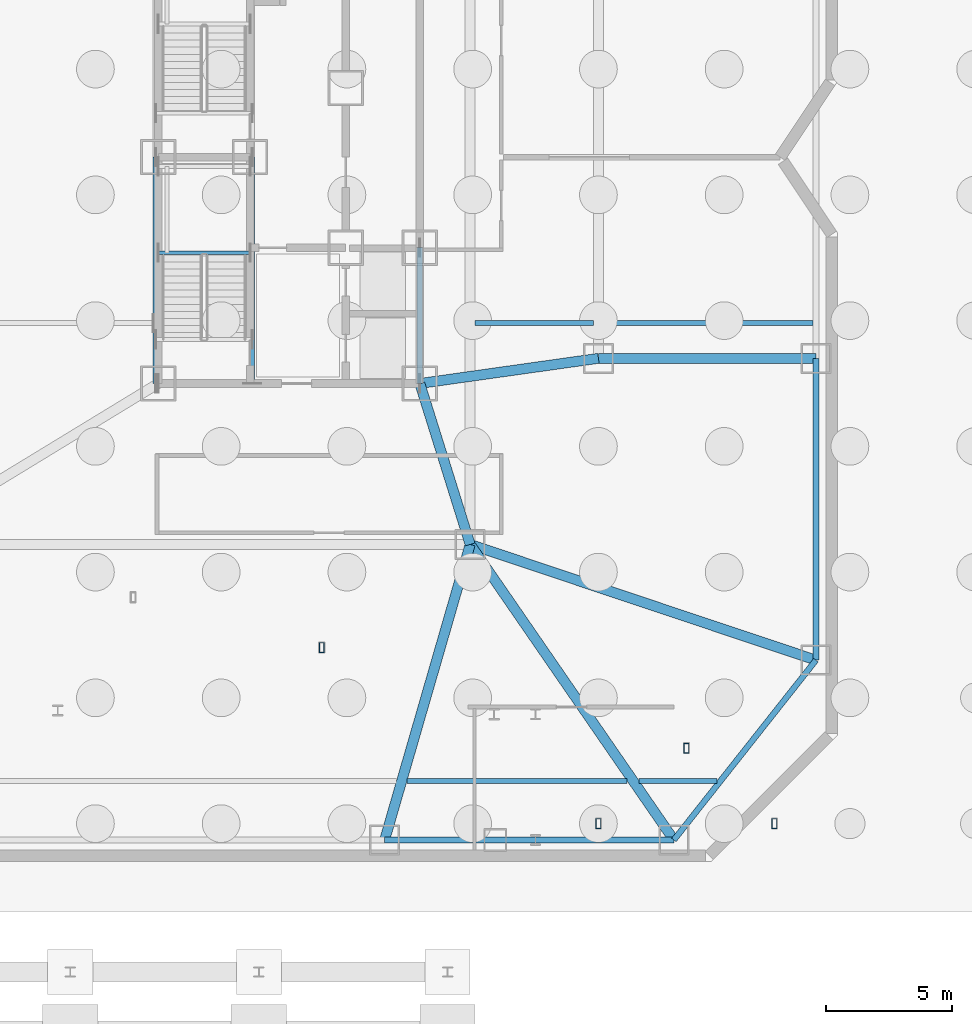
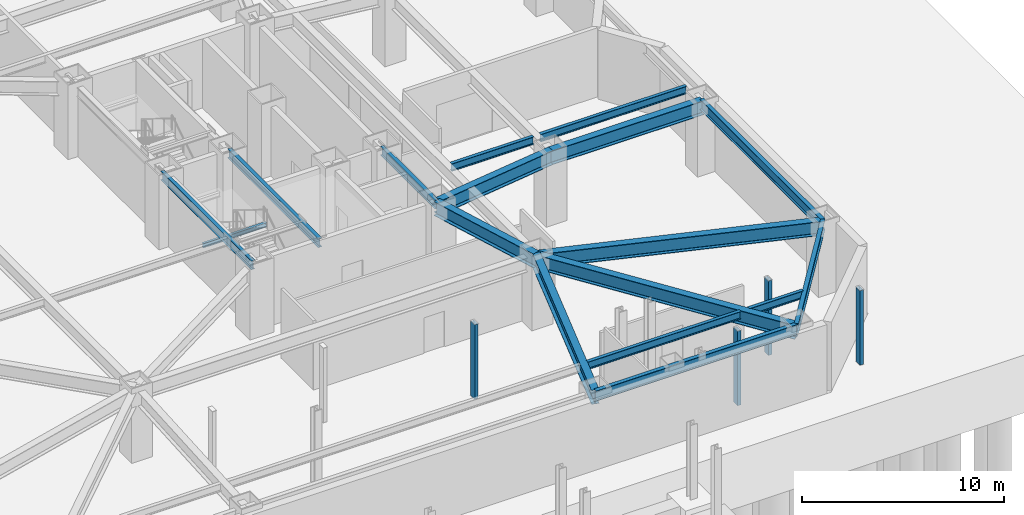
# One storey, part 5 of 15: 17 beams, 4 members.
"""IFC4 building model written with IfcOpenShell, lengths in metres."""

from ifc_helpers import new_model, si_unit, direction, frame, origin, origin_2d, place, context, subcontext, project, spatial, hollow_rectangle, i_section, extrude, material, material_profile, profile_set, type_object, element, save


model = new_model("IFC4")

# Units and contexts
model_context = context("Model", 3, precision=1e-05, world=origin(), true_north=direction((0.0, 1.0)))
body_context = subcontext(model_context, "Body", "Model", "MODEL_VIEW")
ifc_project = project(units=[si_unit("LENGTHUNIT", "METRE"), si_unit("AREAUNIT", "SQUARE_METRE"), si_unit("VOLUMEUNIT", "CUBIC_METRE"), si_unit("PLANEANGLEUNIT", "RADIAN"), si_unit("MASSUNIT", "GRAM", prefix="KILO")], contexts=[model_context])

# Site, building, storey
site_placement = place(None, origin())
site = spatial("IfcSite", under=ifc_project, at=site_placement, CompositionType="ELEMENT")
building_placement = place(site_placement, origin())
building = spatial("IfcBuilding", under=site, at=building_placement, Name="Khamvora Tower", CompositionType="ELEMENT")
storey_placement = place(building_placement, frame((0.0, 0.0, -9.0)))
storey = spatial("IfcBuildingStorey", under=building, at=storey_placement, Name="B2", CompositionType="ELEMENT", Elevation=-9.0)

# Beams
ifc_material = material(Name="Steel S355", Category="steel")
ifc_material_profile_1 = material_profile(ifc_material, i_section(OverallWidth=0.19189453125, OverallDepth=0.462890625, WebThickness=0.010986328125, FlangeThickness=0.01806640625, FilletRadius=0.011962890625, at=origin_2d()), Name="W460x89")
ifc_profile_set_1 = profile_set([ifc_material_profile_1], Name="Steel S355")
beam_type_1 = type_object("IfcBeamType", Name="BM-JS-W460x89", PredefinedType="JOIST", material=ifc_profile_set_1)
beam_1_placement = place(storey_placement, frame((38.883056640625, 3.199951171875, 3.948974609375), z_axis=(1.0, 0.0, 0.0), x_axis=(0.0, 1.0, 0.0)))
element("IfcBeam", 1, at=beam_1_placement, inside=storey, type_object=beam_type_1, Name="B2 secondary floor joist 04", PredefinedType="JOIST", context=body_context, shape_type="SweptSolid", body=[
    extrude(i_section(OverallWidth=0.19189453125, OverallDepth=0.462890625, WebThickness=0.010986328125, FlangeThickness=0.01806640625, FilletRadius=0.011962890625, at=origin_2d()), origin(), (0.0, 0.0, 1.0), 8.759033203125),
])
beam_2_placement = place(storey_placement, frame((48.117919921875, 3.199951171875, 3.948974609375), z_axis=(1.0, 0.0, 0.0), x_axis=(0.0, 1.0, 0.0)))
element("IfcBeam", 2, at=beam_2_placement, inside=storey, type_object=beam_type_1, Name="B2 secondary floor joist 05", PredefinedType="JOIST", context=body_context, shape_type="SweptSolid", body=[
    extrude(i_section(OverallWidth=0.19189453125, OverallDepth=0.462890625, WebThickness=0.010986328125, FlangeThickness=0.01806640625, FilletRadius=0.011962890625, at=origin_2d()), origin(), (0.0, 0.0, 1.0), 3.09716796875),
])
beam_3_placement = place(storey_placement, frame((41.594970703125, 21.39990234375, 3.948974609375), z_axis=(1.0, 0.0, 0.0), x_axis=(0.0, 1.0, 0.0)))
element("IfcBeam", 3, at=beam_3_placement, inside=storey, type_object=beam_type_1, Name="B2 secondary floor joist 08", PredefinedType="JOIST", context=body_context, shape_type="SweptSolid", body=[
    extrude(i_section(OverallWidth=0.19189453125, OverallDepth=0.462890625, WebThickness=0.010986328125, FlangeThickness=0.01806640625, FilletRadius=0.011962890625, at=origin_2d()), origin(), (0.0, 0.0, 1.0), 4.7099609375),
])
beam_4_placement = place(storey_placement, frame((46.695068359375, 21.39990234375, 3.948974609375), z_axis=(1.0, 0.0, 0.0), x_axis=(0.0, 1.0, 0.0)))
element("IfcBeam", 4, at=beam_4_placement, inside=storey, type_object=beam_type_1, Name="B2 secondary floor joist 09", PredefinedType="JOIST", context=body_context, shape_type="SweptSolid", body=[
    extrude(i_section(OverallWidth=0.19189453125, OverallDepth=0.462890625, WebThickness=0.010986328125, FlangeThickness=0.01806640625, FilletRadius=0.011962890625, at=origin_2d()), origin(), (0.0, 0.0, 1.0), 8.344970703125),
])
ifc_material_profile_2 = material_profile(ifc_material, i_section(OverallWidth=0.14697265625, OverallDepth=0.261962890625, WebThickness=0.007080078125, FlangeThickness=0.010986328125, FilletRadius=0.008056640625, at=origin_2d()), Name="W250x39")
ifc_profile_set_2 = profile_set([ifc_material_profile_2], Name="Steel S355")
beam_type_2 = type_object("IfcBeamType", Name="BM-LN-W250x39", PredefinedType="LINTEL", material=ifc_profile_set_2)
beam_5_placement = place(storey_placement, frame((29.0, 24.195068359375, 1.9189453125), z_axis=(1.0, 0.0, 0.0), x_axis=(0.0, 1.0, 0.0)))
element("IfcBeam", 5, at=beam_5_placement, inside=storey, type_object=beam_type_2, Name="B2 ST-01 half-landing support beam 1.1", PredefinedType="LINTEL", context=body_context, shape_type="SweptSolid", body=[
    extrude(i_section(OverallWidth=0.14697265625, OverallDepth=0.261962890625, WebThickness=0.007080078125, FlangeThickness=0.010986328125, FilletRadius=0.008056640625, at=origin_2d()), origin(), (0.0, 0.0, 1.0), 3.64990234375),
])
ifc_material_profile_3 = material_profile(ifc_material, i_section(OverallWidth=0.39990234375, OverallDepth=0.85498046875, WebThickness=0.01806640625, FlangeThickness=0.029052734375, FilletRadius=0.01806640625, at=origin_2d()), Name="W840x299")
ifc_profile_set_3 = profile_set([ifc_material_profile_3], Name="Steel S355")
beam_type_3 = type_object("IfcBeamType", Name="BM-PG-W840x299", PredefinedType="BEAM", material=ifc_profile_set_3)
beam_6_placement = place(storey_placement, frame((41.39990234375, 12.60009765625, 3.751953125), z_axis=(-0.277951455854, -0.960595121885, 0.0), x_axis=(0.960595121885, -0.277951455854, 0.0)))
element("IfcBeam", 6, at=beam_6_placement, inside=storey, type_object=beam_type_3, Name="B2 primary floor girder P03", PredefinedType="BEAM", context=body_context, shape_type="SweptSolid", body=[
    extrude(i_section(OverallWidth=0.39990234375, OverallDepth=0.85498046875, WebThickness=0.01806640625, FlangeThickness=0.029052734375, FilletRadius=0.01806640625, at=origin_2d()), origin(), (0.0, 0.0, 1.0), 12.23193359375),
])
beam_7_placement = place(storey_placement, frame((41.39990234375, 12.60009765625, 3.751953125), z_axis=(0.567573841069, -0.823322497527, 0.0), x_axis=(0.823322497527, 0.567573841069, 0.0)))
element("IfcBeam", 7, at=beam_7_placement, inside=storey, type_object=beam_type_3, Name="B2 primary floor girder P04", PredefinedType="BEAM", context=body_context, shape_type="SweptSolid", body=[
    extrude(i_section(OverallWidth=0.39990234375, OverallDepth=0.85498046875, WebThickness=0.01806640625, FlangeThickness=0.029052734375, FilletRadius=0.01806640625, at=origin_2d()), origin(), (0.0, 0.0, 1.0), 14.271484375),
])
beam_8_placement = place(storey_placement, frame((41.39990234375, 12.60009765625, 3.751953125), z_axis=(0.948335857324, -0.31726818579, 0.0), x_axis=(0.31726818579, 0.948335857324, 0.0)))
element("IfcBeam", 8, at=beam_8_placement, inside=storey, type_object=beam_type_3, Name="B2 primary floor girder P13", PredefinedType="BEAM", context=body_context, shape_type="SweptSolid", body=[
    extrude(i_section(OverallWidth=0.39990234375, OverallDepth=0.85498046875, WebThickness=0.01806640625, FlangeThickness=0.029052734375, FilletRadius=0.01806640625, at=origin_2d()), origin(), (0.0, 0.0, 1.0), 14.4990234375),
])
beam_9_placement = place(storey_placement, frame((46.5, 20.0, 3.751953125), z_axis=(1.0, 0.0, 0.0), x_axis=(0.0, 1.0, 0.0)))
element("IfcBeam", 9, at=beam_9_placement, inside=storey, type_object=beam_type_3, Name="B2 primary floor girder P14", PredefinedType="BEAM", context=body_context, shape_type="SweptSolid", body=[
    extrude(i_section(OverallWidth=0.39990234375, OverallDepth=0.85498046875, WebThickness=0.01806640625, FlangeThickness=0.029052734375, FilletRadius=0.01806640625, at=origin_2d()), origin(), (0.0, 0.0, 1.0), 8.64990234375),
])
beam_10_placement = place(storey_placement, frame((39.39990234375, 19.0, 3.751953125), z_axis=(0.298279139585, -0.95447868226, 0.0), x_axis=(0.95447868226, 0.298279139585, 0.0)))
element("IfcBeam", 10, at=beam_10_placement, inside=storey, type_object=beam_type_3, Name="B2 primary floor girder P18", PredefinedType="BEAM", context=body_context, shape_type="SweptSolid", body=[
    extrude(i_section(OverallWidth=0.39990234375, OverallDepth=0.85498046875, WebThickness=0.01806640625, FlangeThickness=0.029052734375, FilletRadius=0.01806640625, at=origin_2d()), origin(), (0.0, 0.0, 1.0), 6.705078125),
])
beam_11_placement = place(storey_placement, frame((39.39990234375, 19.0, 3.751953125), z_axis=(0.990226770029, 0.139466640879, 0.0), x_axis=(-0.139466640879, 0.990226770029, 0.0)))
element("IfcBeam", 11, at=beam_11_placement, inside=storey, type_object=beam_type_3, Name="B2 primary floor girder P23", PredefinedType="BEAM", context=body_context, shape_type="SweptSolid", body=[
    extrude(i_section(OverallWidth=0.39990234375, OverallDepth=0.85498046875, WebThickness=0.01806640625, FlangeThickness=0.029052734375, FilletRadius=0.01806640625, at=origin_2d()), origin(), (0.0, 0.0, 1.0), 7.170166015625),
])
ifc_material_profile_4 = material_profile(ifc_material, i_section(OverallWidth=0.208984375, OverallDepth=0.532958984375, WebThickness=0.010009765625, FlangeThickness=0.01611328125, FilletRadius=0.013916015625, at=origin_2d()), Name="W530x92")
ifc_profile_set_4 = profile_set([ifc_material_profile_4], Name="Steel S355")
beam_type_4 = type_object("IfcBeamType", Name="BM-SP-W530x92", PredefinedType="SPANDREL", material=ifc_profile_set_4)
for number, where, z_axis, x_axis, name in (
    (12, (28.89990234375, 19.0, 3.9130859375), (0.0, 1.0, 0.0), (-1.0, 0.0, 0.0), "B2 core spine girder WS"),
    (13, (32.72998046875, 19.0, 3.9130859375), (0.0, 1.0, 0.0), (-1.0, 0.0, 0.0), "B2 core spine girder M1S"),
):
    element("IfcBeam", number, at=place(storey_placement, frame(where, z_axis=z_axis, x_axis=x_axis)), inside=storey, type_object=beam_type_4, Name=name, PredefinedType="SPANDREL", context=body_context, shape_type="SweptSolid", body=[
        extrude(i_section(OverallWidth=0.208984375, OverallDepth=0.532958984375, WebThickness=0.010009765625, FlangeThickness=0.01611328125, FilletRadius=0.013916015625, at=origin_2d()), origin(), (0.0, 0.0, 1.0), 9.0),
    ])
beam_12_placement = place(storey_placement, frame((39.39990234375, 19.0, 3.9130859375), z_axis=(0.0, 1.0, 0.0), x_axis=(-1.0, 0.0, 0.0)))
element("IfcBeam", 14, at=beam_12_placement, inside=storey, type_object=beam_type_4, Name="B2 core spine girder ES", PredefinedType="SPANDREL", context=body_context, shape_type="SweptSolid", body=[
    extrude(i_section(OverallWidth=0.208984375, OverallDepth=0.532958984375, WebThickness=0.010009765625, FlangeThickness=0.01611328125, FilletRadius=0.013916015625, at=origin_2d()), origin(), (0.0, 0.0, 1.0), 5.39990234375),
])
ifc_material_profile_5 = material_profile(ifc_material, i_section(OverallWidth=0.22998046875, OverallDepth=0.616943359375, WebThickness=0.012939453125, FlangeThickness=0.02197265625, FilletRadius=0.013916015625, at=origin_2d()), Name="W610x140")
ifc_profile_set_5 = profile_set([ifc_material_profile_5], Name="Steel S355")
beam_type_5 = type_object("IfcBeamType", Name="BM-SP-W610x140", PredefinedType="SPANDREL", material=ifc_profile_set_5)
beam_13_placement = place(storey_placement, frame((38.0, 0.85009765625, 3.87109375), z_axis=(1.0, 0.0, 0.0), x_axis=(0.0, 1.0, 0.0)))
element("IfcBeam", 15, at=beam_13_placement, inside=storey, type_object=beam_type_5, Name="B2 perimeter spandrel beam P03-P04", PredefinedType="SPANDREL", context=body_context, shape_type="SweptSolid", body=[
    extrude(i_section(OverallWidth=0.22998046875, OverallDepth=0.616943359375, WebThickness=0.012939453125, FlangeThickness=0.02197265625, FilletRadius=0.013916015625, at=origin_2d()), origin(), (0.0, 0.0, 1.0), 11.5),
])
beam_14_placement = place(storey_placement, frame((49.5, 0.85009765625, 3.87109375), z_axis=(0.619998635429, 0.784602888133, 0.0), x_axis=(-0.784602888133, 0.619998635429, 0.0)))
element("IfcBeam", 16, at=beam_14_placement, inside=storey, type_object=beam_type_5, Name="B2 perimeter spandrel beam P04-P13", PredefinedType="SPANDREL", context=body_context, shape_type="SweptSolid", body=[
    extrude(i_section(OverallWidth=0.22998046875, OverallDepth=0.616943359375, WebThickness=0.012939453125, FlangeThickness=0.02197265625, FilletRadius=0.013916015625, at=origin_2d()), origin(), (0.0, 0.0, 1.0), 9.11279296875),
])
beam_15_placement = place(storey_placement, frame((55.14990234375, 8.0, 3.87109375), z_axis=(0.0, 1.0, 0.0), x_axis=(-1.0, 0.0, 0.0)))
element("IfcBeam", 17, at=beam_15_placement, inside=storey, type_object=beam_type_5, Name="B2 perimeter spandrel beam P13-P14", PredefinedType="SPANDREL", context=body_context, shape_type="SweptSolid", body=[
    extrude(i_section(OverallWidth=0.22998046875, OverallDepth=0.616943359375, WebThickness=0.012939453125, FlangeThickness=0.02197265625, FilletRadius=0.013916015625, at=origin_2d()), origin(), (0.0, 0.0, 1.0), 12.0),
])

# Members
ifc_material_profile_6 = material_profile(ifc_material, hollow_rectangle(XDim=0.199951171875, YDim=0.39990234375, WallThickness=0.01611328125, at=origin_2d()), Name="RHS400x200x16")
ifc_profile_set_6 = profile_set([ifc_material_profile_6], Name="Steel S355")
member_type = type_object("IfcMemberType", Name="MEM-PS-RHS400", PredefinedType="POST", material=ifc_profile_set_6)
for number, where, z_axis, x_axis, name in (
    (18, (35.5, 8.5, 0.0), (0.0, 0.0, 1.0), (1.0, 0.0, 0.0), "B2 plaza apron structural post ENT2"),
    (19, (46.5, 1.5, 0.0), (0.0, 0.0, 1.0), (1.0, 0.0, 0.0), "B2 plaza apron structural post SE1"),
    (20, (53.5, 1.5, 0.0), (0.0, 0.0, 1.0), (1.0, 0.0, 0.0), "B2 plaza apron structural post SE2"),
    (21, (50.0, 4.5, 0.0), (0.0, 0.0, 1.0), (1.0, 0.0, 0.0), "B2 plaza apron structural post SE3"),
):
    element("IfcMember", number, at=place(storey_placement, frame(where, z_axis=z_axis, x_axis=x_axis)), inside=storey, type_object=member_type, Name=name, PredefinedType="POST", context=body_context, shape_type="SweptSolid", body=[
        extrude(hollow_rectangle(XDim=0.199951171875, YDim=0.39990234375, WallThickness=0.01611328125, at=origin_2d()), origin(), (0.0, 0.0, 1.0), 4.5),
    ])

save(model, "model.ifc")
